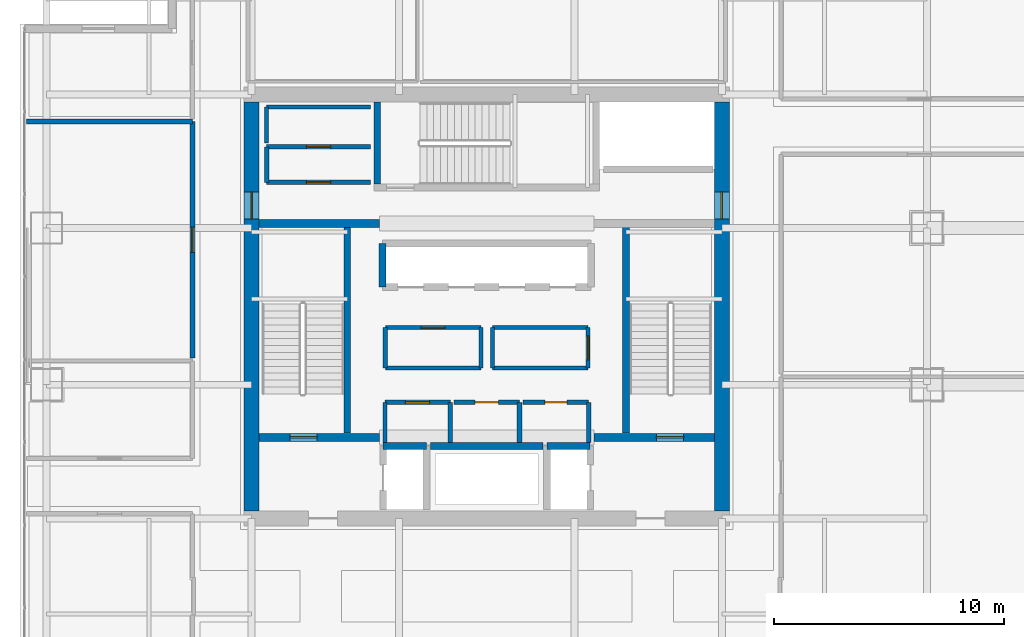
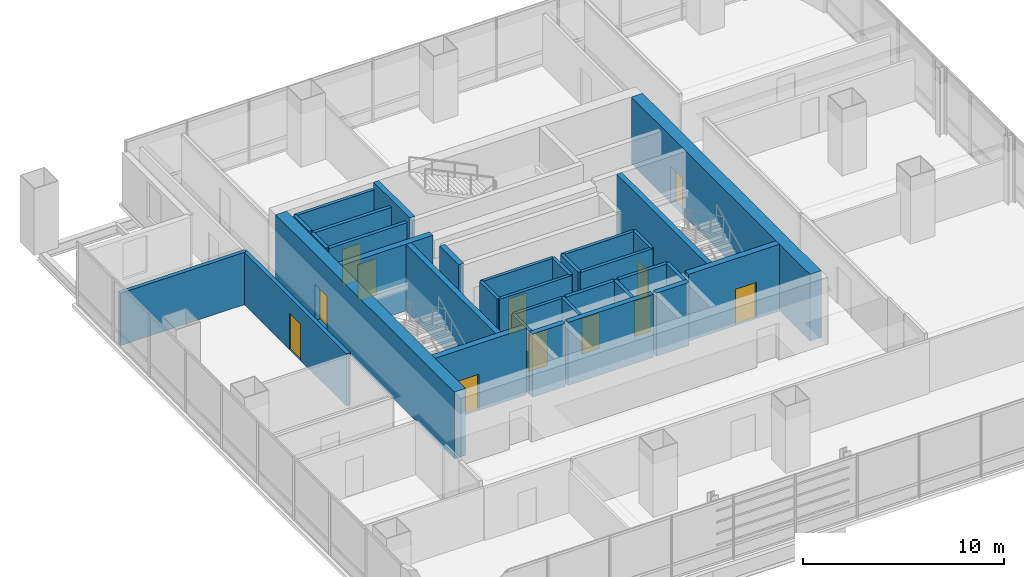
# One storey, part 30 of 37: 34 walls, 12 doors, 12 openings.
"""IFC4 building model written with IfcOpenShell, lengths in metres."""

from ifc_helpers import new_model, si_unit, direction, frame, frame_2d, origin, place, context, subcontext, project, spatial, rectangle, extrude, material, layer, layer_set, type_object, element, fill, save


model = new_model("IFC4")

# Units and contexts
model_context = context("Model", 3, precision=1e-05, world=origin(), true_north=direction((0.0, 1.0)))
body_context = subcontext(model_context, "Body", "Model", "MODEL_VIEW")
ifc_project = project(units=[si_unit("LENGTHUNIT", "METRE"), si_unit("AREAUNIT", "SQUARE_METRE"), si_unit("VOLUMEUNIT", "CUBIC_METRE"), si_unit("PLANEANGLEUNIT", "RADIAN"), si_unit("MASSUNIT", "GRAM", prefix="KILO")], contexts=[model_context])

# Site, building, storey
site_placement = place(None, origin())
site = spatial("IfcSite", under=ifc_project, at=site_placement, CompositionType="ELEMENT")
building_placement = place(site_placement, origin())
building = spatial("IfcBuilding", under=site, at=building_placement, Name="Punatoya Terracotta Tower", CompositionType="ELEMENT")
storey_placement = place(building_placement, frame((0.0, 0.0, 224.85009765625)))
storey = spatial("IfcBuildingStorey", under=building, at=storey_placement, Name="L53", CompositionType="ELEMENT", Elevation=224.85009765625)

# Wall, opening, door
ifc_material_1 = material(Name="Concrete C60/75", Category="concrete")
ifc_layer_1 = layer(ifc_material_1, 0.64990234375)
ifc_layer_set_1 = layer_set([ifc_layer_1], Name="Concrete C60/75")
wall_type_1 = type_object("IfcWallType", Name="WL-COR-650", PredefinedType="SHEAR", material=ifc_layer_set_1)
wall_1_placement = place(storey_placement, frame((-10.199951171875, -8.875, 0.0), z_axis=(0.0, 0.0, 1.0), x_axis=(0.0, 1.0, 0.0)))
wall_1 = element("IfcWall", 1, at=wall_1_placement, inside=storey, type_object=wall_type_1, Name="L53 Core Shear Wall W", PredefinedType="SHEAR", context=body_context, shape_type="SweptSolid", body=[
    extrude(rectangle(XDim=17.75, YDim=0.64990234375, at=frame_2d((8.875, 0.0))), origin(), (0.0, 0.0, 1.0), 4.0498046875),
])
opening_1_placement = place(wall_1_placement, frame((12.6650390625, 0.0, 0.0)))
opening_1 = element("IfcOpeningElement", 2, at=opening_1_placement, cuts=wall_1, Name="Opening SD-01", PredefinedType="OPENING", context=body_context, shape_type="SweptSolid", body=[
    extrude(rectangle(XDim=1.179931640625, YDim=2.199951171875, at=frame_2d((0.58984375, 1.10009765625))), frame((0.0, 0.3349609375, 0.0), z_axis=(0.0, -1.0, 0.0), x_axis=(1.0, 0.0, 0.0)), (0.0, 0.0, 1.0), 0.669921875),
])
ifc_material_2 = material(Name="Galvanised Steel Pressurized Stair Fire Door", Category="steel")
door_type_1 = type_object("IfcDoorType", Name="DR-STR-1180", OperationType="NOTDEFINED", PredefinedType="DOOR", material=ifc_material_2)
door_1_placement = place(opening_1_placement, origin())
door_1 = element("IfcDoor", 3, at=door_1_placement, inside=storey, type_object=door_type_1, Name="L53 Central Lift Lobby West Fire Door", OperationType="SINGLE_SWING_LEFT", OverallHeight=2.199951171875, OverallWidth=1.179931640625, PredefinedType="DOOR", context=body_context, shape_type="SweptSolid", body=[
    extrude(rectangle(XDim=1.179931640625, YDim=2.199951171875, at=frame_2d((0.58984375, 1.10009765625))), frame((0.0, 0.02490234375, 0.0), z_axis=(0.0, -1.0, 0.0), x_axis=(1.0, 0.0, 0.0)), (0.0, 0.0, 1.0), 0.050048828125),
])
fill(opening_1, door_1)

wall_2_placement = place(storey_placement, frame((10.199951171875, 8.875, 0.0), z_axis=(0.0, 0.0, 1.0), x_axis=(0.0, -1.0, 0.0)))
wall_2 = element("IfcWall", 4, at=wall_2_placement, inside=storey, type_object=wall_type_1, Name="L53 Core Shear Wall E", PredefinedType="SHEAR", context=body_context, shape_type="SweptSolid", body=[
    extrude(rectangle(XDim=17.75, YDim=0.64990234375, at=frame_2d((8.875, 0.0))), origin(), (0.0, 0.0, 1.0), 4.0498046875),
])
opening_2_placement = place(wall_2_placement, frame((3.905029296875, 0.0, 0.0)))
opening_2 = element("IfcOpeningElement", 5, at=opening_2_placement, cuts=wall_2, Name="Opening SD-01", PredefinedType="OPENING", context=body_context, shape_type="SweptSolid", body=[
    extrude(rectangle(XDim=1.179931640625, YDim=2.199951171875, at=frame_2d((0.58984375, 1.10009765625))), frame((0.0, 0.3349609375, 0.0), z_axis=(0.0, -1.0, 0.0), x_axis=(1.0, 0.0, 0.0)), (0.0, 0.0, 1.0), 0.669921875),
])
door_2_placement = place(opening_2_placement, origin())
door_2 = element("IfcDoor", 6, at=door_2_placement, inside=storey, type_object=door_type_1, Name="L53 Central Lift Lobby East Fire Door", OperationType="SINGLE_SWING_RIGHT", OverallHeight=2.199951171875, OverallWidth=1.179931640625, PredefinedType="DOOR", context=body_context, shape_type="SweptSolid", body=[
    extrude(rectangle(XDim=1.179931640625, YDim=2.199951171875, at=frame_2d((0.58984375, 1.10009765625))), frame((0.0, 0.02490234375, 0.0), z_axis=(0.0, -1.0, 0.0), x_axis=(1.0, 0.0, 0.0)), (0.0, 0.0, 1.0), 0.050048828125),
])
fill(opening_2, door_2)

# Wall
ifc_material_3 = material(Name="Gypsum Fireboard + Steel Stud", Category="steel")
ifc_layer_2 = layer(ifc_material_3, 0.179931640625)
ifc_layer_set_2 = layer_set([ifc_layer_2], Name="Gypsum Fireboard + Steel Stud")
wall_type_2 = type_object("IfcWallType", Name="WL-CORR-180", PredefinedType="PARTITIONING", material=ifc_layer_set_2)
wall_3_placement = place(storey_placement, frame((-1.580078125, -5.89990234375, 0.0), z_axis=(0.0, 0.0, 1.0), x_axis=(0.0, 1.0, 0.0)))
element("IfcWall", 7, at=wall_3_placement, inside=storey, type_object=wall_type_2, Name="L53 Core Quiet Wellness Room Partition 01", PredefinedType="PARTITIONING", context=body_context, shape_type="SweptSolid", body=[
    extrude(rectangle(XDim=1.739990234375, YDim=0.179931640625, at=frame_2d((0.8701171875, 0.0))), origin(), (0.0, 0.0, 1.0), 3.829833984375),
])

# Wall, opening, door
wall_4_placement = place(storey_placement, frame((-1.580078125, -4.159912109375, 0.0), z_axis=(0.0, 0.0, 1.0), x_axis=(-1.0, 0.0, 0.0)))
wall_4 = element("IfcWall", 8, at=wall_4_placement, inside=storey, type_object=wall_type_2, Name="L53 Core Quiet Wellness Room Partition 02", PredefinedType="PARTITIONING", context=body_context, shape_type="SweptSolid", body=[
    extrude(rectangle(XDim=2.83984375, YDim=0.179931640625, at=frame_2d((1.419921875, 0.0))), origin(), (0.0, 0.0, 1.0), 3.829833984375),
])
opening_3_placement = place(wall_4_placement, frame((0.89501953125, 0.0, 0.0)))
opening_3 = element("IfcOpeningElement", 9, at=opening_3_placement, cuts=wall_4, Name="Opening OD-01", PredefinedType="OPENING", context=body_context, shape_type="SweptSolid", body=[
    extrude(rectangle(XDim=1.050048828125, YDim=2.199951171875, at=frame_2d((0.52490234375, 1.10009765625))), frame((0.0, 0.099853515625, 0.0), z_axis=(0.0, -1.0, 0.0), x_axis=(1.0, 0.0, 0.0)), (0.0, 0.0, 1.0), 0.199951171875),
])
ifc_material_4 = material(Name="Bengal Teak Solid-Core Leaf")
door_type_2 = type_object("IfcDoorType", Name="DR-OFF-1050", OperationType="NOTDEFINED", PredefinedType="DOOR", material=ifc_material_4)
door_3_placement = place(opening_3_placement, origin())
door_3 = element("IfcDoor", 10, at=door_3_placement, inside=storey, type_object=door_type_2, Name="L53 Quiet Wellness Room Door", OperationType="SINGLE_SWING_LEFT", OverallHeight=2.199951171875, OverallWidth=1.050048828125, PredefinedType="DOOR", context=body_context, shape_type="SweptSolid", body=[
    extrude(rectangle(XDim=1.050048828125, YDim=2.199951171875, at=frame_2d((0.52490234375, 1.10009765625))), frame((0.0, 0.02490234375, 0.0), z_axis=(0.0, -1.0, 0.0), x_axis=(1.0, 0.0, 0.0)), (0.0, 0.0, 1.0), 0.050048828125),
])
fill(opening_3, door_3)

# Walls
wall_5_placement = place(storey_placement, frame((-4.419921875, -4.159912109375, 0.0), z_axis=(0.0, 0.0, 1.0), x_axis=(0.0, -1.0, 0.0)))
element("IfcWall", 11, at=wall_5_placement, inside=storey, type_object=wall_type_2, Name="L53 Core Quiet Wellness Room Partition 03", PredefinedType="PARTITIONING", context=body_context, shape_type="SweptSolid", body=[
    extrude(rectangle(XDim=1.739990234375, YDim=0.179931640625, at=frame_2d((0.8701171875, 0.0))), origin(), (0.0, 0.0, 1.0), 3.829833984375),
])
wall_6_placement = place(storey_placement, frame((-0.25, -2.679931640625, 0.0), z_axis=(0.0, 0.0, 1.0), x_axis=(0.0, 1.0, 0.0)))
element("IfcWall", 12, at=wall_6_placement, inside=storey, type_object=wall_type_2, Name="L53 West Core Focus Pod Partition 08", PredefinedType="PARTITIONING", context=body_context, shape_type="SweptSolid", body=[
    extrude(rectangle(XDim=1.760009765625, YDim=0.179931640625, at=frame_2d((0.8798828125, 0.0))), origin(), (0.0, 0.0, 1.0), 3.829833984375),
])

# Wall, opening, door
wall_7_placement = place(storey_placement, frame((-0.25, -0.919921875, 0.0), z_axis=(0.0, 0.0, 1.0), x_axis=(-1.0, 0.0, 0.0)))
wall_7 = element("IfcWall", 13, at=wall_7_placement, inside=storey, type_object=wall_type_2, Name="L53 West Core Focus Pod Partition 09", PredefinedType="PARTITIONING", context=body_context, shape_type="SweptSolid", body=[
    extrude(rectangle(XDim=4.14990234375, YDim=0.179931640625, at=frame_2d((2.074951171875, 0.0))), origin(), (0.0, 0.0, 1.0), 3.829833984375),
])
opening_4_placement = place(wall_7_placement, frame((1.550048828125, 0.0, 0.0)))
opening_4 = element("IfcOpeningElement", 14, at=opening_4_placement, cuts=wall_7, Name="Opening OD-01", PredefinedType="OPENING", context=body_context, shape_type="SweptSolid", body=[
    extrude(rectangle(XDim=1.050048828125, YDim=2.199951171875, at=frame_2d((0.52490234375, 1.10009765625))), frame((0.0, 0.099853515625, 0.0), z_axis=(0.0, -1.0, 0.0), x_axis=(1.0, 0.0, 0.0)), (0.0, 0.0, 1.0), 0.199951171875),
])
door_4_placement = place(opening_4_placement, origin())
door_4 = element("IfcDoor", 15, at=door_4_placement, inside=storey, type_object=door_type_2, Name="L53 West Focus Pod Door", OperationType="SINGLE_SWING_RIGHT", OverallHeight=2.199951171875, OverallWidth=1.050048828125, PredefinedType="DOOR", context=body_context, shape_type="SweptSolid", body=[
    extrude(rectangle(XDim=1.050048828125, YDim=2.199951171875, at=frame_2d((0.52490234375, 1.10009765625))), frame((0.0, 0.02490234375, 0.0), z_axis=(0.0, -1.0, 0.0), x_axis=(1.0, 0.0, 0.0)), (0.0, 0.0, 1.0), 0.050048828125),
])
fill(opening_4, door_4)

# Walls
wall_8_placement = place(storey_placement, frame((-4.39990234375, -0.919921875, 0.0), z_axis=(0.0, 0.0, 1.0), x_axis=(0.0, -1.0, 0.0)))
element("IfcWall", 16, at=wall_8_placement, inside=storey, type_object=wall_type_2, Name="L53 West Core Focus Pod Partition 10", PredefinedType="PARTITIONING", context=body_context, shape_type="SweptSolid", body=[
    extrude(rectangle(XDim=1.760009765625, YDim=0.179931640625, at=frame_2d((0.8798828125, 0.0))), origin(), (0.0, 0.0, 1.0), 3.829833984375),
])
wall_9_placement = place(storey_placement, frame((-4.39990234375, -2.679931640625, 0.0), z_axis=(0.0, 0.0, 1.0), x_axis=(1.0, 0.0, 0.0)))
element("IfcWall", 17, at=wall_9_placement, inside=storey, type_object=wall_type_2, Name="L53 West Core Focus Pod Partition 11", PredefinedType="PARTITIONING", context=body_context, shape_type="SweptSolid", body=[
    extrude(rectangle(XDim=4.14990234375, YDim=0.179931640625, at=frame_2d((2.074951171875, 0.0))), origin(), (0.0, 0.0, 1.0), 3.829833984375),
])

# Wall, opening, door
wall_10_placement = place(storey_placement, frame((4.39990234375, -2.679931640625, 0.0), z_axis=(0.0, 0.0, 1.0), x_axis=(0.0, 1.0, 0.0)))
wall_10 = element("IfcWall", 18, at=wall_10_placement, inside=storey, type_object=wall_type_2, Name="L53 East Core Wellness Room Partition 12", PredefinedType="PARTITIONING", context=body_context, shape_type="SweptSolid", body=[
    extrude(rectangle(XDim=1.760009765625, YDim=0.179931640625, at=frame_2d((0.8798828125, 0.0))), origin(), (0.0, 0.0, 1.0), 3.829833984375),
])
opening_5_placement = place(wall_10_placement, frame((0.35498046875, 0.0, 0.0)))
opening_5 = element("IfcOpeningElement", 19, at=opening_5_placement, cuts=wall_10, Name="Opening OD-01", PredefinedType="OPENING", context=body_context, shape_type="SweptSolid", body=[
    extrude(rectangle(XDim=1.050048828125, YDim=2.199951171875, at=frame_2d((0.52490234375, 1.10009765625))), frame((0.0, 0.099853515625, 0.0), z_axis=(0.0, -1.0, 0.0), x_axis=(1.0, 0.0, 0.0)), (0.0, 0.0, 1.0), 0.199951171875),
])
door_5_placement = place(opening_5_placement, origin())
door_5 = element("IfcDoor", 20, at=door_5_placement, inside=storey, type_object=door_type_2, Name="L53 East Wellness Room Door", OperationType="SINGLE_SWING_LEFT", OverallHeight=2.199951171875, OverallWidth=1.050048828125, PredefinedType="DOOR", context=body_context, shape_type="SweptSolid", body=[
    extrude(rectangle(XDim=1.050048828125, YDim=2.199951171875, at=frame_2d((0.52490234375, 1.10009765625))), frame((0.0, 0.02490234375, 0.0), z_axis=(0.0, -1.0, 0.0), x_axis=(1.0, 0.0, 0.0)), (0.0, 0.0, 1.0), 0.050048828125),
])
fill(opening_5, door_5)

# Walls
wall_11_placement = place(storey_placement, frame((4.39990234375, -0.919921875, 0.0), z_axis=(0.0, 0.0, 1.0), x_axis=(-1.0, 0.0, 0.0)))
element("IfcWall", 21, at=wall_11_placement, inside=storey, type_object=wall_type_2, Name="L53 East Core Wellness Room Partition 13", PredefinedType="PARTITIONING", context=body_context, shape_type="SweptSolid", body=[
    extrude(rectangle(XDim=4.14990234375, YDim=0.179931640625, at=frame_2d((2.074951171875, 0.0))), origin(), (0.0, 0.0, 1.0), 3.829833984375),
])
wall_12_placement = place(storey_placement, frame((0.25, -0.919921875, 0.0), z_axis=(0.0, 0.0, 1.0), x_axis=(0.0, -1.0, 0.0)))
element("IfcWall", 22, at=wall_12_placement, inside=storey, type_object=wall_type_2, Name="L53 East Core Wellness Room Partition 14", PredefinedType="PARTITIONING", context=body_context, shape_type="SweptSolid", body=[
    extrude(rectangle(XDim=1.760009765625, YDim=0.179931640625, at=frame_2d((0.8798828125, 0.0))), origin(), (0.0, 0.0, 1.0), 3.829833984375),
])
wall_13_placement = place(storey_placement, frame((0.25, -2.679931640625, 0.0), z_axis=(0.0, 0.0, 1.0), x_axis=(1.0, 0.0, 0.0)))
element("IfcWall", 23, at=wall_13_placement, inside=storey, type_object=wall_type_2, Name="L53 East Core Wellness Room Partition 15", PredefinedType="PARTITIONING", context=body_context, shape_type="SweptSolid", body=[
    extrude(rectangle(XDim=4.14990234375, YDim=0.179931640625, at=frame_2d((2.074951171875, 0.0))), origin(), (0.0, 0.0, 1.0), 3.829833984375),
])
wall_14_placement = place(storey_placement, frame((-5.050048828125, 8.64990234375, 0.0), z_axis=(0.0, 0.0, 1.0), x_axis=(-1.0, 0.0, 0.0)))
element("IfcWall", 24, at=wall_14_placement, inside=storey, type_object=wall_type_2, Name="L53 West Core Copy Room Partition 19", PredefinedType="PARTITIONING", context=body_context, shape_type="SweptSolid", body=[
    extrude(rectangle(XDim=4.5, YDim=0.179931640625, at=frame_2d((2.25, 0.0))), origin(), (0.0, 0.0, 1.0), 3.829833984375),
])
wall_15_placement = place(storey_placement, frame((-9.550048828125, 8.64990234375, 0.0), z_axis=(0.0, 0.0, 1.0), x_axis=(0.0, -1.0, 0.0)))
element("IfcWall", 25, at=wall_15_placement, inside=storey, type_object=wall_type_2, Name="L53 West Core Copy Room Partition 20", PredefinedType="PARTITIONING", context=body_context, shape_type="SweptSolid", body=[
    extrude(rectangle(XDim=1.56982421875, YDim=0.179931640625, at=frame_2d((0.784912109375, 0.0))), origin(), (0.0, 0.0, 1.0), 3.829833984375),
])
ifc_material_5 = material(Name="Concrete C40/50", Category="concrete")
ifc_layer_3 = layer(ifc_material_5, 0.219970703125)
ifc_layer_set_3 = layer_set([ifc_layer_3], Name="Concrete C40/50")
wall_type_3 = type_object("IfcWallType", Name="WL-FIR-220", PredefinedType="SOLIDWALL", material=ifc_layer_set_3)
wall_16_placement = place(storey_placement, frame((-19.969970703125, 8.01806640625, 0.0), z_axis=(0.0, 0.0, 1.0), x_axis=(1.0, 0.0, 0.0)))
element("IfcWall", 26, at=wall_16_placement, inside=storey, type_object=wall_type_3, Name="L53 Open-Plan Model-Making Archive Partition 39", PredefinedType="SOLIDWALL", context=body_context, shape_type="SweptSolid", body=[
    extrude(rectangle(XDim=7.199951171875, YDim=0.219970703125, at=frame_2d((3.60009765625, 0.0))), origin(), (0.0, 0.0, 1.0), 3.173828125),
])

# Wall, opening, door
wall_17_placement = place(storey_placement, frame((-12.77001953125, 8.01806640625, 0.0), z_axis=(0.0, 0.0, 1.0), x_axis=(0.0, -1.0, 0.0)))
wall_17 = element("IfcWall", 27, at=wall_17_placement, inside=storey, type_object=wall_type_3, Name="L53 Open-Plan Model-Making Archive Partition 40", PredefinedType="SOLIDWALL", context=body_context, shape_type="SweptSolid", body=[
    extrude(rectangle(XDim=10.260009765625, YDim=0.219970703125, at=frame_2d((5.1298828125, 0.0))), origin(), (0.0, 0.0, 1.0), 3.173828125),
])
opening_6_placement = place(wall_17_placement, frame((4.580078125, 0.0, 0.0)))
opening_6 = element("IfcOpeningElement", 28, at=opening_6_placement, cuts=wall_17, Name="Opening FD-P1", PredefinedType="OPENING", context=body_context, shape_type="SweptSolid", body=[
    extrude(rectangle(XDim=1.10009765625, YDim=2.199951171875, at=frame_2d((0.550048828125, 1.10009765625))), frame((0.0, 0.119873046875, 0.0), z_axis=(0.0, -1.0, 0.0), x_axis=(1.0, 0.0, 0.0)), (0.0, 0.0, 1.0), 0.239990234375),
])
ifc_material_6 = material(Name="Galvanised Steel Plant Fire Door", Category="steel")
door_type_3 = type_object("IfcDoorType", Name="DR-PLT-1100", OperationType="NOTDEFINED", PredefinedType="DOOR", material=ifc_material_6)
door_6_placement = place(opening_6_placement, origin())
door_6 = element("IfcDoor", 29, at=door_6_placement, inside=storey, type_object=door_type_3, Name="L53 Open-Plan Model-Making Archive Fire Door", OperationType="SINGLE_SWING_RIGHT", OverallHeight=2.199951171875, OverallWidth=1.10009765625, PredefinedType="DOOR", context=body_context, shape_type="SweptSolid", body=[
    extrude(rectangle(XDim=1.10009765625, YDim=2.199951171875, at=frame_2d((0.550048828125, 1.10009765625))), frame((0.0, 0.02490234375, 0.0), z_axis=(0.0, -1.0, 0.0), x_axis=(1.0, 0.0, 0.0)), (0.0, 0.0, 1.0), 0.050048828125),
])
fill(opening_6, door_6)

# Wall
ifc_layer_4 = layer(ifc_material_5, 0.199951171875)
ifc_layer_set_4 = layer_set([ifc_layer_4], Name="Concrete C40/50")
wall_type_4 = type_object("IfcWallType", Name="WL-INT-200", PredefinedType="SOLIDWALL", material=ifc_layer_set_4)
wall_18_placement = place(storey_placement, frame((1.419921875, -5.89990234375, 0.0), z_axis=(0.0, 0.0, 1.0), x_axis=(0.0, 1.0, 0.0)))
element("IfcWall", 30, at=wall_18_placement, inside=storey, type_object=wall_type_4, Name="L53 Accessible Universal Washroom Partition 04", PredefinedType="SOLIDWALL", context=body_context, shape_type="SweptSolid", body=[
    extrude(rectangle(XDim=1.739990234375, YDim=0.199951171875, at=frame_2d((0.8701171875, 0.0))), origin(), (0.0, 0.0, 1.0), 3.829833984375),
])

# Wall, opening, door
wall_19_placement = place(storey_placement, frame((1.419921875, -4.159912109375, 0.0), z_axis=(0.0, 0.0, 1.0), x_axis=(-1.0, 0.0, 0.0)))
wall_19 = element("IfcWall", 31, at=wall_19_placement, inside=storey, type_object=wall_type_4, Name="L53 Accessible Universal Washroom Partition 05", PredefinedType="SOLIDWALL", context=body_context, shape_type="SweptSolid", body=[
    extrude(rectangle(XDim=2.83984375, YDim=0.199951171875, at=frame_2d((1.419921875, 0.0))), origin(), (0.0, 0.0, 1.0), 3.829833984375),
])
opening_7_placement = place(wall_19_placement, frame((0.919921875, 0.0, 0.0)))
opening_7 = element("IfcOpeningElement", 32, at=opening_7_placement, cuts=wall_19, Name="Opening AWD-1", PredefinedType="OPENING", context=body_context, shape_type="SweptSolid", body=[
    extrude(rectangle(XDim=1.0, YDim=2.14990234375, at=frame_2d((0.5, 1.074951171875))), frame((0.0, 0.10986328125, 0.0), z_axis=(0.0, -1.0, 0.0), x_axis=(1.0, 0.0, 0.0)), (0.0, 0.0, 1.0), 0.219970703125),
])
ifc_material_7 = material(Name="Bengal Teak Accessible WC Leaf")
door_type_4 = type_object("IfcDoorType", Name="DR-ACC-1000", OperationType="NOTDEFINED", PredefinedType="DOOR", material=ifc_material_7)
door_7_placement = place(opening_7_placement, origin())
door_7 = element("IfcDoor", 33, at=door_7_placement, inside=storey, type_object=door_type_4, Name="L53 Accessible Universal Washroom Door", OperationType="SINGLE_SWING_RIGHT", OverallHeight=2.14990234375, OverallWidth=1.0, PredefinedType="DOOR", context=body_context, shape_type="SweptSolid", body=[
    extrude(rectangle(XDim=1.0, YDim=2.14990234375, at=frame_2d((0.5, 1.074951171875))), frame((0.0, 0.02490234375, 0.0), z_axis=(0.0, -1.0, 0.0), x_axis=(1.0, 0.0, 0.0)), (0.0, 0.0, 1.0), 0.050048828125),
])
fill(opening_7, door_7)

# Wall
wall_20_placement = place(storey_placement, frame((4.419921875, -5.89990234375, 0.0), z_axis=(0.0, 0.0, 1.0), x_axis=(0.0, 1.0, 0.0)))
element("IfcWall", 34, at=wall_20_placement, inside=storey, type_object=wall_type_4, Name="L53 All-Gender Washroom Partition 06", PredefinedType="SOLIDWALL", context=body_context, shape_type="SweptSolid", body=[
    extrude(rectangle(XDim=1.739990234375, YDim=0.199951171875, at=frame_2d((0.8701171875, 0.0))), origin(), (0.0, 0.0, 1.0), 3.829833984375),
])

# Wall, opening, door
wall_21_placement = place(storey_placement, frame((4.419921875, -4.159912109375, 0.0), z_axis=(0.0, 0.0, 1.0), x_axis=(-1.0, 0.0, 0.0)))
wall_21 = element("IfcWall", 35, at=wall_21_placement, inside=storey, type_object=wall_type_4, Name="L53 All-Gender Washroom Partition 07", PredefinedType="SOLIDWALL", context=body_context, shape_type="SweptSolid", body=[
    extrude(rectangle(XDim=2.83984375, YDim=0.199951171875, at=frame_2d((1.419921875, 0.0))), origin(), (0.0, 0.0, 1.0), 3.829833984375),
])
opening_8_placement = place(wall_21_placement, frame((0.945068359375, 0.0, 0.0)))
opening_8 = element("IfcOpeningElement", 36, at=opening_8_placement, cuts=wall_21, Name="Opening WD-01", PredefinedType="OPENING", context=body_context, shape_type="SweptSolid", body=[
    extrude(rectangle(XDim=0.949951171875, YDim=2.14990234375, at=frame_2d((0.47509765625, 1.074951171875))), frame((0.0, 0.10986328125, 0.0), z_axis=(0.0, -1.0, 0.0), x_axis=(1.0, 0.0, 0.0)), (0.0, 0.0, 1.0), 0.219970703125),
])
ifc_material_8 = material(Name="Moisture-Resistant Laminate Timber Leaf", Category="wood")
door_type_5 = type_object("IfcDoorType", Name="DR-WC-950", OperationType="NOTDEFINED", PredefinedType="DOOR", material=ifc_material_8)
door_8_placement = place(opening_8_placement, origin())
door_8 = element("IfcDoor", 37, at=door_8_placement, inside=storey, type_object=door_type_5, Name="L53 All-Gender Washroom Door", OperationType="SINGLE_SWING_LEFT", OverallHeight=2.14990234375, OverallWidth=0.949951171875, PredefinedType="DOOR", context=body_context, shape_type="SweptSolid", body=[
    extrude(rectangle(XDim=0.949951171875, YDim=2.14990234375, at=frame_2d((0.47509765625, 1.074951171875))), frame((0.0, 0.02490234375, 0.0), z_axis=(0.0, -1.0, 0.0), x_axis=(1.0, 0.0, 0.0)), (0.0, 0.0, 1.0), 0.050048828125),
])
fill(opening_8, door_8)

wall_22_placement = place(storey_placement, frame((-5.050048828125, 6.919921875, 0.0), z_axis=(0.0, 0.0, 1.0), x_axis=(-1.0, 0.0, 0.0)))
wall_22 = element("IfcWall", 38, at=wall_22_placement, inside=storey, type_object=wall_type_4, Name="L53 West Core Tea Pantry Partition 16", PredefinedType="SOLIDWALL", context=body_context, shape_type="SweptSolid", body=[
    extrude(rectangle(XDim=4.5, YDim=0.199951171875, at=frame_2d((2.25, 0.0))), origin(), (0.0, 0.0, 1.0), 3.829833984375),
])
opening_9_placement = place(wall_22_placement, frame((1.72509765625, 0.0, 0.0)))
opening_9 = element("IfcOpeningElement", 39, at=opening_9_placement, cuts=wall_22, Name="Opening OD-01", PredefinedType="OPENING", context=body_context, shape_type="SweptSolid", body=[
    extrude(rectangle(XDim=1.050048828125, YDim=2.199951171875, at=frame_2d((0.52490234375, 1.10009765625))), frame((0.0, 0.10986328125, 0.0), z_axis=(0.0, -1.0, 0.0), x_axis=(1.0, 0.0, 0.0)), (0.0, 0.0, 1.0), 0.219970703125),
])
door_9_placement = place(opening_9_placement, origin())
door_9 = element("IfcDoor", 40, at=door_9_placement, inside=storey, type_object=door_type_2, Name="L53 West Copy Room Door", OperationType="SINGLE_SWING_LEFT", OverallHeight=2.199951171875, OverallWidth=1.050048828125, PredefinedType="DOOR", context=body_context, shape_type="SweptSolid", body=[
    extrude(rectangle(XDim=1.050048828125, YDim=2.199951171875, at=frame_2d((0.52490234375, 1.10009765625))), frame((0.0, 0.02490234375, 0.0), z_axis=(0.0, -1.0, 0.0), x_axis=(1.0, 0.0, 0.0)), (0.0, 0.0, 1.0), 0.050048828125),
])
fill(opening_9, door_9)

# Wall
wall_23_placement = place(storey_placement, frame((-9.550048828125, 6.919921875, 0.0), z_axis=(0.0, 0.0, 1.0), x_axis=(0.0, -1.0, 0.0)))
element("IfcWall", 41, at=wall_23_placement, inside=storey, type_object=wall_type_4, Name="L53 West Core Tea Pantry Partition 17", PredefinedType="SOLIDWALL", context=body_context, shape_type="SweptSolid", body=[
    extrude(rectangle(XDim=1.5400390625, YDim=0.199951171875, at=frame_2d((0.77001953125, 0.0))), origin(), (0.0, 0.0, 1.0), 3.829833984375),
])

# Wall, opening, door
wall_24_placement = place(storey_placement, frame((-9.550048828125, 5.3798828125, 0.0), z_axis=(0.0, 0.0, 1.0), x_axis=(1.0, 0.0, 0.0)))
wall_24 = element("IfcWall", 42, at=wall_24_placement, inside=storey, type_object=wall_type_4, Name="L53 West Core Tea Pantry Partition 18", PredefinedType="SOLIDWALL", context=body_context, shape_type="SweptSolid", body=[
    extrude(rectangle(XDim=4.5, YDim=0.199951171875, at=frame_2d((2.25, 0.0))), origin(), (0.0, 0.0, 1.0), 3.829833984375),
])
opening_10_placement = place(wall_24_placement, frame((1.72509765625, 0.0, 0.0)))
opening_10 = element("IfcOpeningElement", 43, at=opening_10_placement, cuts=wall_24, Name="Opening OD-01", PredefinedType="OPENING", context=body_context, shape_type="SweptSolid", body=[
    extrude(rectangle(XDim=1.050048828125, YDim=2.199951171875, at=frame_2d((0.52490234375, 1.10009765625))), frame((0.0, 0.10986328125, 0.0), z_axis=(0.0, -1.0, 0.0), x_axis=(1.0, 0.0, 0.0)), (0.0, 0.0, 1.0), 0.219970703125),
])
door_10_placement = place(opening_10_placement, origin())
door_10 = element("IfcDoor", 44, at=door_10_placement, inside=storey, type_object=door_type_2, Name="L53 West Tea Pantry Door", OperationType="SINGLE_SWING_RIGHT", OverallHeight=2.199951171875, OverallWidth=1.050048828125, PredefinedType="DOOR", context=body_context, shape_type="SweptSolid", body=[
    extrude(rectangle(XDim=1.050048828125, YDim=2.199951171875, at=frame_2d((0.52490234375, 1.10009765625))), frame((0.0, 0.02490234375, 0.0), z_axis=(0.0, -1.0, 0.0), x_axis=(1.0, 0.0, 0.0)), (0.0, 0.0, 1.0), 0.050048828125),
])
fill(opening_10, door_10)

# Walls
ifc_layer_5 = layer(ifc_material_5, 0.300048828125)
ifc_layer_set_5 = layer_set([ifc_layer_5], Name="Concrete C40/50")
wall_type_5 = type_object("IfcWallType", Name="WL-SHF-300", PredefinedType="SOLIDWALL", material=ifc_layer_set_5)
for number, where, z_axis, x_axis, name in (
    (45, (-6.050048828125, -5.5, 0.0), (0.0, 0.0, 1.0), (0.0, 1.0, 0.0), "L53 Structural Stair Shaft Wall SW-ST1-E"),
    (46, (6.050048828125, 3.449951171875, 0.0), (0.0, 0.0, 1.0), (0.0, -1.0, 0.0), "L53 Structural Stair Shaft Wall SW-ST2-W"),
):
    element("IfcWall", number, at=place(storey_placement, frame(where, z_axis=z_axis, x_axis=x_axis)), inside=storey, type_object=wall_type_5, Name=name, PredefinedType="SOLIDWALL", context=body_context, shape_type="SweptSolid", body=[
        extrude(rectangle(XDim=8.949951171875, YDim=0.300048828125, at=frame_2d((4.47509765625, 0.0))), origin(), (0.0, 0.0, 1.0), 4.0498046875),
    ])
wall_25_placement = place(storey_placement, frame((-4.75, 5.300048828125, 0.0), z_axis=(0.0, 0.0, 1.0), x_axis=(0.0, 1.0, 0.0)))
element("IfcWall", 47, at=wall_25_placement, inside=storey, type_object=wall_type_5, Name="L53 Structural Stair Shaft Wall SW-ST3-W", PredefinedType="SOLIDWALL", context=body_context, shape_type="SweptSolid", body=[
    extrude(rectangle(XDim=3.574951171875, YDim=0.300048828125, at=frame_2d((1.78759765625, 0.0))), origin(), (0.0, 0.0, 1.0), 4.0498046875),
])
for number, where, z_axis, x_axis, name in (
    (48, (-4.489990234375, -6.050048828125, 0.0), (0.0, 0.0, 1.0), (1.0, 0.0, 0.0), "L53 FFL-1 North Hoistway Wall"),
    (49, (2.610107421875, -6.050048828125, 0.0), (0.0, 0.0, 1.0), (1.0, 0.0, 0.0), "L53 FFL-2 North Hoistway Wall"),
    (50, (-4.52001953125, 0.840087890625, 0.0), (0.0, 0.0, 1.0), (0.0, 1.0, 0.0), "L53 North Lift Bank West End Wall"),
):
    element("IfcWall", number, at=place(storey_placement, frame(where, z_axis=z_axis, x_axis=x_axis)), inside=storey, type_object=wall_type_5, Name=name, PredefinedType="SOLIDWALL", context=body_context, shape_type="SweptSolid", body=[
        extrude(rectangle(XDim=1.8798828125, YDim=0.300048828125, at=frame_2d((0.93994140625, 0.0))), origin(), (0.0, 0.0, 1.0), 3.829833984375),
    ])
wall_26_placement = place(storey_placement, frame((-2.449951171875, -6.050048828125, 0.0), z_axis=(0.0, 0.0, 1.0), x_axis=(1.0, 0.0, 0.0)))
element("IfcWall", 51, at=wall_26_placement, inside=storey, type_object=wall_type_5, Name="L53 Observation Shuttle Rear Hoistway Wall", PredefinedType="SOLIDWALL", context=body_context, shape_type="SweptSolid", body=[
    extrude(rectangle(XDim=4.89990234375, YDim=0.300048828125, at=frame_2d((2.449951171875, 0.0))), origin(), (0.0, 0.0, 1.0), 3.829833984375),
])

# Wall, opening, door
ifc_material_9 = material(Name="Concrete C50/60", Category="concrete")
ifc_layer_6 = layer(ifc_material_9, 0.35009765625)
ifc_layer_set_6 = layer_set([ifc_layer_6], Name="Concrete C50/60")
wall_type_6 = type_object("IfcWallType", Name="WL-SHF-350", PredefinedType="SOLIDWALL", material=ifc_layer_set_6)
wall_27_placement = place(storey_placement, frame((-9.875, -5.679931640625, 0.0), z_axis=(0.0, 0.0, 1.0), x_axis=(1.0, 0.0, 0.0)))
wall_27 = element("IfcWall", 52, at=wall_27_placement, inside=storey, type_object=wall_type_6, Name="L53 Core Web Wall CSW-L", PredefinedType="SOLIDWALL", context=body_context, shape_type="SweptSolid", body=[
    extrude(rectangle(XDim=5.22509765625, YDim=0.35009765625, at=frame_2d((2.612548828125, 0.0))), origin(), (0.0, 0.0, 1.0), 4.0498046875),
])
opening_11_placement = place(wall_27_placement, frame((1.3349609375, 0.0, 0.0)))
opening_11 = element("IfcOpeningElement", 53, at=opening_11_placement, cuts=wall_27, Name="Opening SD-01", PredefinedType="OPENING", context=body_context, shape_type="SweptSolid", body=[
    extrude(rectangle(XDim=1.179931640625, YDim=2.199951171875, at=frame_2d((0.58984375, 1.10009765625))), frame((0.0, 0.18505859375, 0.0), z_axis=(0.0, -1.0, 0.0), x_axis=(1.0, 0.0, 0.0)), (0.0, 0.0, 1.0), 0.3701171875),
])
door_11_placement = place(opening_11_placement, origin())
door_11 = element("IfcDoor", 54, at=door_11_placement, inside=storey, type_object=door_type_1, Name="L53 Stair ST-1 Smokeproof Lobby Fire Door", OperationType="SINGLE_SWING_LEFT", OverallHeight=2.199951171875, OverallWidth=1.179931640625, PredefinedType="DOOR", context=body_context, shape_type="SweptSolid", body=[
    extrude(rectangle(XDim=1.179931640625, YDim=2.199951171875, at=frame_2d((0.58984375, 1.10009765625))), frame((0.0, 0.02490234375, 0.0), z_axis=(0.0, -1.0, 0.0), x_axis=(1.0, 0.0, 0.0)), (0.0, 0.0, 1.0), 0.050048828125),
])
fill(opening_11, door_11)

wall_28_placement = place(storey_placement, frame((4.64990234375, -5.679931640625, 0.0), z_axis=(0.0, 0.0, 1.0), x_axis=(1.0, 0.0, 0.0)))
wall_28 = element("IfcWall", 55, at=wall_28_placement, inside=storey, type_object=wall_type_6, Name="L53 Core Web Wall CSW-R", PredefinedType="SOLIDWALL", context=body_context, shape_type="SweptSolid", body=[
    extrude(rectangle(XDim=5.22509765625, YDim=0.35009765625, at=frame_2d((2.612548828125, 0.0))), origin(), (0.0, 0.0, 1.0), 4.0498046875),
])
opening_12_placement = place(wall_28_placement, frame((2.7099609375, 0.0, 0.0)))
opening_12 = element("IfcOpeningElement", 56, at=opening_12_placement, cuts=wall_28, Name="Opening SD-01", PredefinedType="OPENING", context=body_context, shape_type="SweptSolid", body=[
    extrude(rectangle(XDim=1.179931640625, YDim=2.199951171875, at=frame_2d((0.58984375, 1.10009765625))), frame((0.0, 0.18505859375, 0.0), z_axis=(0.0, -1.0, 0.0), x_axis=(1.0, 0.0, 0.0)), (0.0, 0.0, 1.0), 0.3701171875),
])
door_12_placement = place(opening_12_placement, origin())
door_12 = element("IfcDoor", 57, at=door_12_placement, inside=storey, type_object=door_type_1, Name="L53 Stair ST-2 Smokeproof Lobby Fire Door", OperationType="SINGLE_SWING_RIGHT", OverallHeight=2.199951171875, OverallWidth=1.179931640625, PredefinedType="DOOR", context=body_context, shape_type="SweptSolid", body=[
    extrude(rectangle(XDim=1.179931640625, YDim=2.199951171875, at=frame_2d((0.58984375, 1.10009765625))), frame((0.0, 0.02490234375, 0.0), z_axis=(0.0, -1.0, 0.0), x_axis=(1.0, 0.0, 0.0)), (0.0, 0.0, 1.0), 0.050048828125),
])
fill(opening_12, door_12)

# Wall
wall_29_placement = place(storey_placement, frame((-9.875, 3.60009765625, 0.0), z_axis=(0.0, 0.0, 1.0), x_axis=(1.0, 0.0, 0.0)))
element("IfcWall", 58, at=wall_29_placement, inside=storey, type_object=wall_type_6, Name="L53 Core Web Wall CNW-L", PredefinedType="SOLIDWALL", context=body_context, shape_type="SweptSolid", body=[
    extrude(rectangle(XDim=5.22509765625, YDim=0.35009765625, at=frame_2d((2.612548828125, 0.0))), origin(), (0.0, 0.0, 1.0), 4.0498046875),
])

save(model, "model.ifc")
